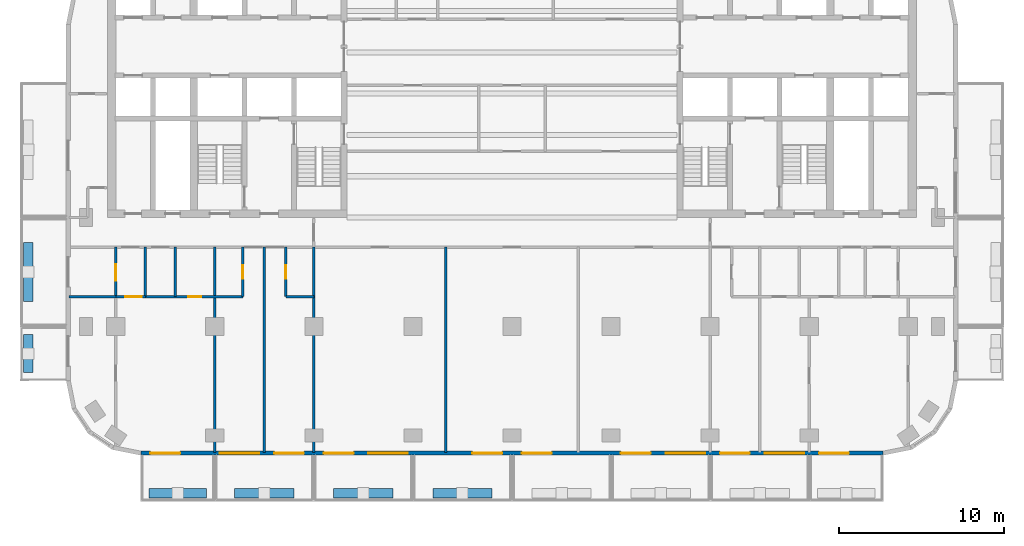
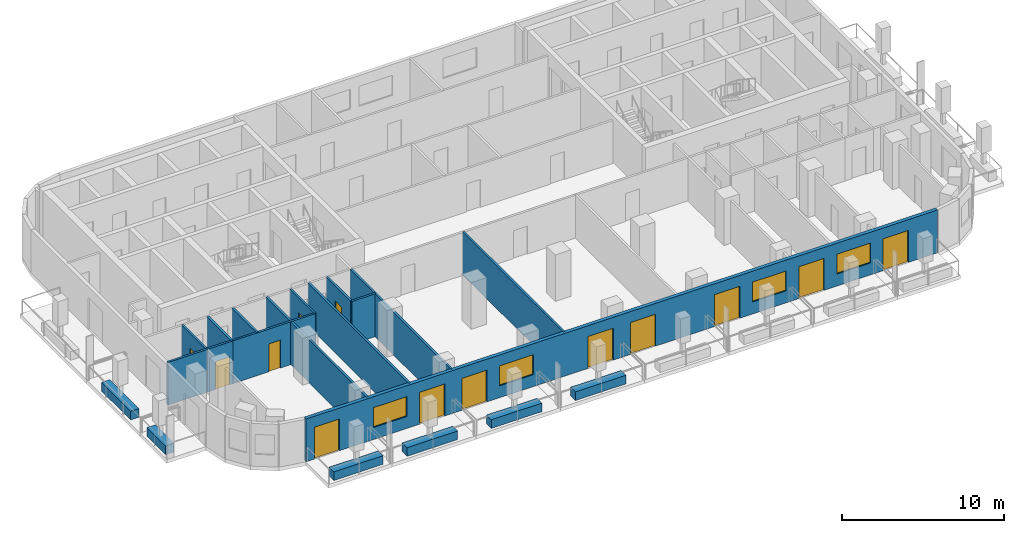
# One storey, part 2 of 11: 20 walls, 13 doors, 4 windows, 17 openings.
"""IFC4 building model written with IfcOpenShell, lengths in metres."""

import ifcopenshell
import ifcopenshell.guid

model = None  # the IFC model being written
_history = None  # IfcOwnerHistory: only IFC2X3 demands one
_inside = {}  # id of a spatial element -> (the spatial element, [elements in it])
_under = {}  # id of a project, library or spatial element -> (it, [spatial elements below it])
_declared = {}  # id of a project -> (the project, [libraries it declares])
_typed = {}  # id of a type object -> (the type object, [elements of that type])
_made_of = {}  # id of a material, layer set ... -> (it, [elements and type objects made of it])


def new_model(schema):
    """Start an empty IFC model of exactly this schema.

    Asked for "IFC4X3", IfcOpenShell would pick the latest addendum, in which some entities
    have other attributes; the version numbers below select the first issue.
    IFC2X3 requires an IfcOwnerHistory on every rooted entity: one is made here for all.
    """
    global model, _history
    if schema == "IFC4X3":
        model = ifcopenshell.file(schema_version=(4, 3, 0, 0))
    else:
        model = ifcopenshell.file(schema=schema)
    _inside.clear()
    _under.clear()
    _declared.clear()
    _typed.clear()
    _made_of.clear()
    _history = None
    if model.schema == "IFC2X3":
        org = make("IfcOrganization", Name="unknown")
        user = make(
            "IfcPersonAndOrganization",
            ThePerson=make("IfcPerson", FamilyName="unknown"),
            TheOrganization=org,
        )
        app = make(
            "IfcApplication",
            ApplicationDeveloper=org,
            Version="unknown",
            ApplicationFullName="unknown",
            ApplicationIdentifier="unknown",
        )
        _history = make(
            "IfcOwnerHistory",
            OwningUser=user,
            OwningApplication=app,
            ChangeAction="ADDED",
            CreationDate=0,
        )
    return model


def make(cls, **values):
    """One entity of the class cls with the attributes given. An attribute that is None is left unset."""
    return model.create_entity(
        cls, **{name: value for name, value in values.items() if value is not None}
    )


def rooted(cls, **values):
    """An entity with a GlobalId (a new one), such as an element, a storey or a relation."""
    return make(cls, GlobalId=ifcopenshell.guid.new(), OwnerHistory=_history, **values)


def si_unit(unit_type, name, prefix=None):
    """IfcSIUnit, for example si_unit("LENGTHUNIT", "METRE", prefix="MILLI")."""
    return make("IfcSIUnit", UnitType=unit_type, Prefix=prefix, Name=name)


def assignment(units):
    """IfcUnitAssignment: the units of a project."""
    return None if units is None else make("IfcUnitAssignment", Units=units)


def point(xyz):
    """IfcCartesianPoint."""
    return None if xyz is None else make("IfcCartesianPoint", Coordinates=xyz)


def direction(xyz):
    """IfcDirection."""
    return None if xyz is None else make("IfcDirection", DirectionRatios=xyz)


def frame(location, z_axis=None, x_axis=None):
    """IfcAxis2Placement3D, a coordinate frame: its origin and axes. An axis left out is left unset."""
    return make(
        "IfcAxis2Placement3D",
        Location=point(location),
        Axis=direction(z_axis),
        RefDirection=direction(x_axis),
    )


def frame_2d(location, x_axis=None):
    """IfcAxis2Placement2D, a coordinate frame in the plane: its origin and x axis."""
    return make(
        "IfcAxis2Placement2D", Location=point(location), RefDirection=direction(x_axis)
    )


def origin():
    """The frame at (0, 0, 0) with its axes left unset."""
    return frame((0.0, 0.0, 0.0))


def place(relative_to, where):
    """IfcLocalPlacement: puts the frame where relative to a parent placement (None: the world)."""
    return make(
        "IfcLocalPlacement", PlacementRelTo=relative_to, RelativePlacement=where
    )


def context(
    kind, dimensions, precision=None, world=None, true_north=None, identifier=None
):
    """IfcGeometricRepresentationContext, for example the 3D "Model" context."""
    return make(
        "IfcGeometricRepresentationContext",
        ContextIdentifier=identifier,
        ContextType=kind,
        CoordinateSpaceDimension=dimensions,
        Precision=precision,
        WorldCoordinateSystem=world,
        TrueNorth=true_north,
    )


def subcontext(parent, identifier, kind, view, scale=None):
    """IfcGeometricRepresentationSubContext, for example "Body" below "Model"."""
    return make(
        "IfcGeometricRepresentationSubContext",
        ContextIdentifier=identifier,
        ContextType=kind,
        ParentContext=parent,
        TargetScale=scale,
        TargetView=view,
    )


def project(units=None, contexts=None):
    """IfcProject with its units and contexts."""
    return rooted(
        "IfcProject",
        Name="project",
        RepresentationContexts=contexts,
        UnitsInContext=assignment(units),
    )


def spatial(cls, under=None, at=None, **own):
    """A site, building, storey or space (cls), placed at a placement, below another one or the project."""
    s = rooted(cls, ObjectPlacement=at, **own)
    if under is not None:
        _under.setdefault(under.id(), (under, []))[1].append(s)
    return s


def profile(cls, at=None, kind="AREA", **sizes):
    """A parametric profile (cls). Its sizes go by their IFC names, for example OverallWidth=200.0."""
    return make(cls, ProfileType=kind, Position=at, **sizes)


def rectangle(**sizes):
    """IfcRectangleProfileDef."""
    return profile("IfcRectangleProfileDef", **sizes)


def extrude(swept, where, along, depth):
    """IfcExtrudedAreaSolid: the profile swept, set in the frame where, extruded along a direction by depth."""
    return make(
        "IfcExtrudedAreaSolid",
        SweptArea=swept,
        Position=where,
        ExtrudedDirection=direction(along),
        Depth=depth,
    )


def shape(context_of_items, identifier, shape_type, items):
    """IfcShapeRepresentation: the items that make up one representation, for example the "Body"."""
    return make(
        "IfcShapeRepresentation",
        ContextOfItems=context_of_items,
        RepresentationIdentifier=identifier,
        RepresentationType=shape_type,
        Items=items,
    )


def material(Name=None, Category=None):
    """IfcMaterial."""
    return make("IfcMaterial", Name=Name, Category=Category)


def layer(
    of_material, thickness, ventilated=None, Name=None, Category=None, Priority=None
):
    """IfcMaterialLayer: one layer of a wall or slab, of a material (None: an air gap)."""
    return make(
        "IfcMaterialLayer",
        Material=of_material,
        LayerThickness=thickness,
        IsVentilated=ventilated,
        Name=Name,
        Category=Category,
        Priority=Priority,
    )


def layer_set(layers, Name=None):
    """IfcMaterialLayerSet."""
    return make("IfcMaterialLayerSet", MaterialLayers=layers, LayerSetName=Name)


def made_of(thing, what):
    """Note that an element or type object is made of a material, layer set ...; save() writes the relation."""
    if what is not None:
        _made_of.setdefault(what.id(), (what, []))[1].append(thing)
    return thing


def type_object(cls, material=None, **own):
    """A type object (cls), such as IfcWallType, which elements share."""
    return made_of(rooted(cls, **own), material)


def element(
    cls,
    number,
    at=None,
    inside=None,
    cuts=None,
    type_object=None,
    material=None,
    context=None,
    identifier="Body",
    shape_type=None,
    held_by="IfcProductDefinitionShape",
    body=None,
    shapes=None,
    **own,
):
    """One element of the class cls, such as IfcWall. Its Tag is "e" and its number.

    at: its placement. inside: the storey or other place that contains it. cuts: it is an
    opening in that element (IfcRelVoidsElement). A single representation is given by context,
    identifier, shape_type and body (its items); several are given by shapes. held_by: the class
    of the entity that holds the representations. save() writes the other relations.
    """
    e = rooted(cls, Tag="e%d" % number, ObjectPlacement=at, **own)
    if body is not None:
        shapes = [shape(context, identifier, shape_type, body)]
    if shapes is not None:
        e.Representation = make(held_by, Representations=shapes)
    if inside is not None:
        _inside.setdefault(inside.id(), (inside, []))[1].append(e)
    if cuts is not None:
        rooted(
            "IfcRelVoidsElement", RelatingBuildingElement=cuts, RelatedOpeningElement=e
        )
    if type_object is not None:
        _typed.setdefault(type_object.id(), (type_object, []))[1].append(e)
    return made_of(e, material)


def fill(opening, filler):
    """IfcRelFillsElement: the door or window that sits in an opening."""
    return rooted(
        "IfcRelFillsElement",
        RelatingOpeningElement=opening,
        RelatedBuildingElement=filler,
    )


def aggregate(whole, parts):
    """IfcRelAggregates: a whole, such as a stair, and the parts it consists of."""
    return rooted("IfcRelAggregates", RelatingObject=whole, RelatedObjects=parts)


def save(model, path):
    """Write the relations noted so far, then the file.

    IfcRelAggregates (storeys below a building ...), IfcRelContainedInSpatialStructure (elements
    in a storey), IfcRelDefinesByType, IfcRelAssociatesMaterial and IfcRelDeclares: one each for
    every whole, place, type object, material and project.
    """
    for whole, parts in _under.values():
        aggregate(whole, parts)
    for where, things in _inside.values():
        rooted(
            "IfcRelContainedInSpatialStructure",
            RelatedElements=things,
            RelatingStructure=where,
        )
    for kind, things in _typed.values():
        rooted("IfcRelDefinesByType", RelatedObjects=things, RelatingType=kind)
    for what, things in _made_of.values():
        rooted("IfcRelAssociatesMaterial", RelatedObjects=things, RelatingMaterial=what)
    for by, libraries in _declared.values():
        rooted("IfcRelDeclares", RelatingContext=by, RelatedDefinitions=libraries)
    model.write(path)


model = new_model("IFC4")

# Units and contexts
model_context = context("Model", 3, precision=1e-05, world=origin(), true_north=direction((0.0, 1.0)))
body_context = subcontext(model_context, "Body", "Model", "MODEL_VIEW")
ifc_project = project(units=[si_unit("LENGTHUNIT", "METRE"), si_unit("AREAUNIT", "SQUARE_METRE"), si_unit("VOLUMEUNIT", "CUBIC_METRE"), si_unit("PLANEANGLEUNIT", "RADIAN"), si_unit("MASSUNIT", "GRAM", prefix="KILO")], contexts=[model_context])

# Site, building, storey
site_placement = place(None, origin())
site = spatial("IfcSite", under=ifc_project, at=site_placement, CompositionType="ELEMENT")
building_placement = place(site_placement, origin())
building = spatial("IfcBuilding", under=site, at=building_placement, Name="Torana Hotel and Residences", CompositionType="ELEMENT")
storey_placement = place(building_placement, frame((0.0, 0.0, 190.60009765625)))
storey = spatial("IfcBuildingStorey", under=building, at=storey_placement, Name="L49", CompositionType="ELEMENT", Elevation=190.60009765625)

# Wall, openings, doors, windows
ifc_material_1 = material(Name="Black aluminium composite panel", Category="aluminium")
ifc_layer_1 = layer(ifc_material_1, 0.00390625, Name="Cladding", Category="cladding")
ifc_material_2 = material(Name="Ventilated air cavity")
ifc_layer_2 = layer(ifc_material_2, 0.0400390625, Name="Ventilated cavity", Category="cavity")
ifc_material_3 = material(Name="Mineral wool insulation")
ifc_layer_3 = layer(ifc_material_3, 0.090087890625, Name="Insulation", Category="insulation")
ifc_material_4 = material(Name="Steel S280GD", Category="steel")
ifc_layer_4 = layer(ifc_material_4, 0.092041015625, Name="Steel stud frame", Category="structure")
ifc_material_5 = material(Name="Fire rated plasterboard")
ifc_layer_5 = layer(ifc_material_5, 0.011962890625, Name="Inner board", Category="finish")
ifc_layer_6 = layer(ifc_material_5, 0.011962890625, Name="Second board", Category="finish")
ifc_layer_set_1 = layer_set([ifc_layer_1, ifc_layer_2, ifc_layer_3, ifc_layer_4, ifc_layer_5, ifc_layer_6], Name="EW1 EXTERNAL WALL BLACK METAL CLAD 250")
wall_type_1 = type_object("IfcWallType", Name="EW1 EXTERNAL WALL BLACK METAL CLAD 250", PredefinedType="SOLIDWALL", material=ifc_layer_set_1)
wall_1_placement = place(storey_placement, frame((-22.475341796875, -29.27490234375, 0.0), z_axis=(0.0, 0.0, 1.0), x_axis=(1.0, 0.0, 0.0)))
wall_1 = element("IfcWall", 1, at=wall_1_placement, inside=storey, type_object=wall_type_1, Name="External wall L49 e0.14", PredefinedType="SOLIDWALL", context=body_context, shape_type="SweptSolid", body=[
    extrude(rectangle(XDim=44.95068359375, YDim=0.25, at=frame_2d((22.475341796875, 0.0))), origin(), (0.0, 0.0, 1.0), 3.219970703125),
])
opening_1_placement = place(wall_1_placement, frame((0.575439453125, 0.0, 0.0)))
opening_1 = element("IfcOpeningElement", 2, at=opening_1_placement, cuts=wall_1, Name="Opening L49-E01", PredefinedType="OPENING", context=body_context, shape_type="SweptSolid", body=[
    extrude(rectangle(XDim=1.800048828125, YDim=2.39990234375, at=frame_2d((0.89990234375, 1.199951171875))), frame((0.0, 0.135009765625, 0.0), z_axis=(0.0, -1.0, 0.0), x_axis=(1.0, 0.0, 0.0)), (0.0, 0.0, 1.0), 0.27001953125),
])
opening_2_placement = place(wall_1_placement, frame((4.775390625, 0.0, 0.89990234375)))
opening_2 = element("IfcOpeningElement", 3, at=opening_2_placement, cuts=wall_1, Name="Opening W3", PredefinedType="OPENING", context=body_context, shape_type="SweptSolid", body=[
    extrude(rectangle(XDim=2.39990234375, YDim=1.5, at=frame_2d((1.199951171875, 0.75))), frame((0.0, 0.135009765625, 0.0), z_axis=(0.0, -1.0, 0.0), x_axis=(1.0, 0.0, 0.0)), (0.0, 0.0, 1.0), 0.27001953125),
])
opening_3_placement = place(wall_1_placement, frame((8.075439453125, 0.0, 0.0)))
opening_3 = element("IfcOpeningElement", 4, at=opening_3_placement, cuts=wall_1, Name="Opening L49-E02", PredefinedType="OPENING", context=body_context, shape_type="SweptSolid", body=[
    extrude(rectangle(XDim=1.800048828125, YDim=2.39990234375, at=frame_2d((0.89990234375, 1.199951171875))), frame((0.0, 0.135009765625, 0.0), z_axis=(0.0, -1.0, 0.0), x_axis=(1.0, 0.0, 0.0)), (0.0, 0.0, 1.0), 0.27001953125),
])
opening_4_placement = place(wall_1_placement, frame((11.075439453125, 0.0, 0.0)))
opening_4 = element("IfcOpeningElement", 5, at=opening_4_placement, cuts=wall_1, Name="Opening L49-E03", PredefinedType="OPENING", context=body_context, shape_type="SweptSolid", body=[
    extrude(rectangle(XDim=1.800048828125, YDim=2.39990234375, at=frame_2d((0.89990234375, 1.199951171875))), frame((0.0, 0.135009765625, 0.0), z_axis=(0.0, -1.0, 0.0), x_axis=(1.0, 0.0, 0.0)), (0.0, 0.0, 1.0), 0.27001953125),
])
opening_5_placement = place(wall_1_placement, frame((13.775390625, 0.0, 0.89990234375)))
opening_5 = element("IfcOpeningElement", 6, at=opening_5_placement, cuts=wall_1, Name="Opening W3", PredefinedType="OPENING", context=body_context, shape_type="SweptSolid", body=[
    extrude(rectangle(XDim=2.39990234375, YDim=1.5, at=frame_2d((1.199951171875, 0.75))), frame((0.0, 0.135009765625, 0.0), z_axis=(0.0, -1.0, 0.0), x_axis=(1.0, 0.0, 0.0)), (0.0, 0.0, 1.0), 0.27001953125),
])
opening_6_placement = place(wall_1_placement, frame((20.075439453125, 0.0, 0.0)))
opening_6 = element("IfcOpeningElement", 7, at=opening_6_placement, cuts=wall_1, Name="Opening L49-E04", PredefinedType="OPENING", context=body_context, shape_type="SweptSolid", body=[
    extrude(rectangle(XDim=1.800048828125, YDim=2.39990234375, at=frame_2d((0.89990234375, 1.199951171875))), frame((0.0, 0.135009765625, 0.0), z_axis=(0.0, -1.0, 0.0), x_axis=(1.0, 0.0, 0.0)), (0.0, 0.0, 1.0), 0.27001953125),
])
opening_7_placement = place(wall_1_placement, frame((23.075439453125, 0.0, 0.0)))
opening_7 = element("IfcOpeningElement", 8, at=opening_7_placement, cuts=wall_1, Name="Opening L49-E05", PredefinedType="OPENING", context=body_context, shape_type="SweptSolid", body=[
    extrude(rectangle(XDim=1.800048828125, YDim=2.39990234375, at=frame_2d((0.89990234375, 1.199951171875))), frame((0.0, 0.135009765625, 0.0), z_axis=(0.0, -1.0, 0.0), x_axis=(1.0, 0.0, 0.0)), (0.0, 0.0, 1.0), 0.27001953125),
])
opening_8_placement = place(wall_1_placement, frame((29.075439453125, 0.0, 0.0)))
opening_8 = element("IfcOpeningElement", 9, at=opening_8_placement, cuts=wall_1, Name="Opening L49-E06", PredefinedType="OPENING", context=body_context, shape_type="SweptSolid", body=[
    extrude(rectangle(XDim=1.800048828125, YDim=2.39990234375, at=frame_2d((0.89990234375, 1.199951171875))), frame((0.0, 0.135009765625, 0.0), z_axis=(0.0, -1.0, 0.0), x_axis=(1.0, 0.0, 0.0)), (0.0, 0.0, 1.0), 0.27001953125),
])
opening_9_placement = place(wall_1_placement, frame((31.775390625, 0.0, 0.89990234375)))
opening_9 = element("IfcOpeningElement", 10, at=opening_9_placement, cuts=wall_1, Name="Opening W3", PredefinedType="OPENING", context=body_context, shape_type="SweptSolid", body=[
    extrude(rectangle(XDim=2.39990234375, YDim=1.5, at=frame_2d((1.199951171875, 0.75))), frame((0.0, 0.135009765625, 0.0), z_axis=(0.0, -1.0, 0.0), x_axis=(1.0, 0.0, 0.0)), (0.0, 0.0, 1.0), 0.27001953125),
])
opening_10_placement = place(wall_1_placement, frame((35.075439453125, 0.0, 0.0)))
opening_10 = element("IfcOpeningElement", 11, at=opening_10_placement, cuts=wall_1, Name="Opening L49-E07", PredefinedType="OPENING", context=body_context, shape_type="SweptSolid", body=[
    extrude(rectangle(XDim=1.800048828125, YDim=2.39990234375, at=frame_2d((0.89990234375, 1.199951171875))), frame((0.0, 0.135009765625, 0.0), z_axis=(0.0, -1.0, 0.0), x_axis=(1.0, 0.0, 0.0)), (0.0, 0.0, 1.0), 0.27001953125),
])
opening_11_placement = place(wall_1_placement, frame((37.775390625, 0.0, 0.89990234375)))
opening_11 = element("IfcOpeningElement", 12, at=opening_11_placement, cuts=wall_1, Name="Opening W3", PredefinedType="OPENING", context=body_context, shape_type="SweptSolid", body=[
    extrude(rectangle(XDim=2.39990234375, YDim=1.5, at=frame_2d((1.199951171875, 0.75))), frame((0.0, 0.135009765625, 0.0), z_axis=(0.0, -1.0, 0.0), x_axis=(1.0, 0.0, 0.0)), (0.0, 0.0, 1.0), 0.27001953125),
])
opening_12_placement = place(wall_1_placement, frame((41.075439453125, 0.0, 0.0)))
opening_12 = element("IfcOpeningElement", 13, at=opening_12_placement, cuts=wall_1, Name="Opening L49-E08", PredefinedType="OPENING", context=body_context, shape_type="SweptSolid", body=[
    extrude(rectangle(XDim=1.800048828125, YDim=2.39990234375, at=frame_2d((0.89990234375, 1.199951171875))), frame((0.0, 0.135009765625, 0.0), z_axis=(0.0, -1.0, 0.0), x_axis=(1.0, 0.0, 0.0)), (0.0, 0.0, 1.0), 0.27001953125),
])
ifc_material_6 = material(Name="Dark glass in black aluminium frame", Category="aluminium")
door_type_1 = type_object("IfcDoorType", Name="DB1 BALCONY DOOR 1800x2400", OperationType="DOUBLE_DOOR_SINGLE_SWING", PredefinedType="DOOR", material=ifc_material_6)
door_1_placement = place(opening_1_placement, origin())
door_1 = element("IfcDoor", 14, at=door_1_placement, inside=storey, type_object=door_type_1, Name="Balcony door L49", OperationType="DOUBLE_DOOR_SINGLE_SWING", OverallHeight=2.39990234375, OverallWidth=1.800048828125, PredefinedType="DOOR", context=body_context, shape_type="SweptSolid", body=[
    extrude(rectangle(XDim=1.800048828125, YDim=2.39990234375, at=frame_2d((0.89990234375, 1.199951171875))), frame((0.0, 0.02490234375, 0.0), z_axis=(0.0, -1.0, 0.0), x_axis=(1.0, 0.0, 0.0)), (0.0, 0.0, 1.0), 0.050048828125),
])
fill(opening_1, door_1)
door_2_placement = place(opening_3_placement, origin())
door_2 = element("IfcDoor", 15, at=door_2_placement, inside=storey, type_object=door_type_1, Name="Balcony door L49", OperationType="DOUBLE_DOOR_SINGLE_SWING", OverallHeight=2.39990234375, OverallWidth=1.800048828125, PredefinedType="DOOR", context=body_context, shape_type="SweptSolid", body=[
    extrude(rectangle(XDim=1.800048828125, YDim=2.39990234375, at=frame_2d((0.89990234375, 1.199951171875))), frame((0.0, 0.02490234375, 0.0), z_axis=(0.0, -1.0, 0.0), x_axis=(1.0, 0.0, 0.0)), (0.0, 0.0, 1.0), 0.050048828125),
])
fill(opening_3, door_2)
door_3_placement = place(opening_4_placement, origin())
door_3 = element("IfcDoor", 16, at=door_3_placement, inside=storey, type_object=door_type_1, Name="Balcony door L49", OperationType="DOUBLE_DOOR_SINGLE_SWING", OverallHeight=2.39990234375, OverallWidth=1.800048828125, PredefinedType="DOOR", context=body_context, shape_type="SweptSolid", body=[
    extrude(rectangle(XDim=1.800048828125, YDim=2.39990234375, at=frame_2d((0.89990234375, 1.199951171875))), frame((0.0, 0.02490234375, 0.0), z_axis=(0.0, -1.0, 0.0), x_axis=(1.0, 0.0, 0.0)), (0.0, 0.0, 1.0), 0.050048828125),
])
fill(opening_4, door_3)
door_4_placement = place(opening_6_placement, origin())
door_4 = element("IfcDoor", 17, at=door_4_placement, inside=storey, type_object=door_type_1, Name="Balcony door L49", OperationType="DOUBLE_DOOR_SINGLE_SWING", OverallHeight=2.39990234375, OverallWidth=1.800048828125, PredefinedType="DOOR", context=body_context, shape_type="SweptSolid", body=[
    extrude(rectangle(XDim=1.800048828125, YDim=2.39990234375, at=frame_2d((0.89990234375, 1.199951171875))), frame((0.0, 0.02490234375, 0.0), z_axis=(0.0, -1.0, 0.0), x_axis=(1.0, 0.0, 0.0)), (0.0, 0.0, 1.0), 0.050048828125),
])
fill(opening_6, door_4)
door_5_placement = place(opening_7_placement, origin())
door_5 = element("IfcDoor", 18, at=door_5_placement, inside=storey, type_object=door_type_1, Name="Balcony door L49", OperationType="DOUBLE_DOOR_SINGLE_SWING", OverallHeight=2.39990234375, OverallWidth=1.800048828125, PredefinedType="DOOR", context=body_context, shape_type="SweptSolid", body=[
    extrude(rectangle(XDim=1.800048828125, YDim=2.39990234375, at=frame_2d((0.89990234375, 1.199951171875))), frame((0.0, 0.02490234375, 0.0), z_axis=(0.0, -1.0, 0.0), x_axis=(1.0, 0.0, 0.0)), (0.0, 0.0, 1.0), 0.050048828125),
])
fill(opening_7, door_5)
door_6_placement = place(opening_8_placement, origin())
door_6 = element("IfcDoor", 19, at=door_6_placement, inside=storey, type_object=door_type_1, Name="Balcony door L49", OperationType="DOUBLE_DOOR_SINGLE_SWING", OverallHeight=2.39990234375, OverallWidth=1.800048828125, PredefinedType="DOOR", context=body_context, shape_type="SweptSolid", body=[
    extrude(rectangle(XDim=1.800048828125, YDim=2.39990234375, at=frame_2d((0.89990234375, 1.199951171875))), frame((0.0, 0.02490234375, 0.0), z_axis=(0.0, -1.0, 0.0), x_axis=(1.0, 0.0, 0.0)), (0.0, 0.0, 1.0), 0.050048828125),
])
fill(opening_8, door_6)
door_7_placement = place(opening_10_placement, origin())
door_7 = element("IfcDoor", 20, at=door_7_placement, inside=storey, type_object=door_type_1, Name="Balcony door L49", OperationType="DOUBLE_DOOR_SINGLE_SWING", OverallHeight=2.39990234375, OverallWidth=1.800048828125, PredefinedType="DOOR", context=body_context, shape_type="SweptSolid", body=[
    extrude(rectangle(XDim=1.800048828125, YDim=2.39990234375, at=frame_2d((0.89990234375, 1.199951171875))), frame((0.0, 0.02490234375, 0.0), z_axis=(0.0, -1.0, 0.0), x_axis=(1.0, 0.0, 0.0)), (0.0, 0.0, 1.0), 0.050048828125),
])
fill(opening_10, door_7)
door_8_placement = place(opening_12_placement, origin())
door_8 = element("IfcDoor", 21, at=door_8_placement, inside=storey, type_object=door_type_1, Name="Balcony door L49", OperationType="DOUBLE_DOOR_SINGLE_SWING", OverallHeight=2.39990234375, OverallWidth=1.800048828125, PredefinedType="DOOR", context=body_context, shape_type="SweptSolid", body=[
    extrude(rectangle(XDim=1.800048828125, YDim=2.39990234375, at=frame_2d((0.89990234375, 1.199951171875))), frame((0.0, 0.02490234375, 0.0), z_axis=(0.0, -1.0, 0.0), x_axis=(1.0, 0.0, 0.0)), (0.0, 0.0, 1.0), 0.050048828125),
])
fill(opening_12, door_8)
ifc_material_7 = material(Name="Dark glass in black aluminium frame", Category="aluminium")
window_type = type_object("IfcWindowType", Name="W3 RESIDENCE WINDOW 2400x1500", PartitioningType="SINGLE_PANEL", PredefinedType="WINDOW", material=ifc_material_7)
window_1_placement = place(opening_2_placement, origin())
window_1 = element("IfcWindow", 22, at=window_1_placement, inside=storey, type_object=window_type, Name="Window L49", OverallHeight=1.5, OverallWidth=2.39990234375, PartitioningType="SINGLE_PANEL", PredefinedType="WINDOW", context=body_context, shape_type="SweptSolid", body=[
    extrude(rectangle(XDim=2.39990234375, YDim=1.5, at=frame_2d((1.199951171875, 0.75))), frame((0.0, 0.030029296875, 0.0), z_axis=(0.0, -1.0, 0.0), x_axis=(1.0, 0.0, 0.0)), (0.0, 0.0, 1.0), 0.06005859375),
])
fill(opening_2, window_1)
window_2_placement = place(opening_5_placement, origin())
window_2 = element("IfcWindow", 23, at=window_2_placement, inside=storey, type_object=window_type, Name="Window L49", OverallHeight=1.5, OverallWidth=2.39990234375, PartitioningType="SINGLE_PANEL", PredefinedType="WINDOW", context=body_context, shape_type="SweptSolid", body=[
    extrude(rectangle(XDim=2.39990234375, YDim=1.5, at=frame_2d((1.199951171875, 0.75))), frame((0.0, 0.030029296875, 0.0), z_axis=(0.0, -1.0, 0.0), x_axis=(1.0, 0.0, 0.0)), (0.0, 0.0, 1.0), 0.06005859375),
])
fill(opening_5, window_2)
window_3_placement = place(opening_9_placement, origin())
window_3 = element("IfcWindow", 24, at=window_3_placement, inside=storey, type_object=window_type, Name="Window L49", OverallHeight=1.5, OverallWidth=2.39990234375, PartitioningType="SINGLE_PANEL", PredefinedType="WINDOW", context=body_context, shape_type="SweptSolid", body=[
    extrude(rectangle(XDim=2.39990234375, YDim=1.5, at=frame_2d((1.199951171875, 0.75))), frame((0.0, 0.030029296875, 0.0), z_axis=(0.0, -1.0, 0.0), x_axis=(1.0, 0.0, 0.0)), (0.0, 0.0, 1.0), 0.06005859375),
])
fill(opening_9, window_3)
window_4_placement = place(opening_11_placement, origin())
window_4 = element("IfcWindow", 25, at=window_4_placement, inside=storey, type_object=window_type, Name="Window L49", OverallHeight=1.5, OverallWidth=2.39990234375, PartitioningType="SINGLE_PANEL", PredefinedType="WINDOW", context=body_context, shape_type="SweptSolid", body=[
    extrude(rectangle(XDim=2.39990234375, YDim=1.5, at=frame_2d((1.199951171875, 0.75))), frame((0.0, 0.030029296875, 0.0), z_axis=(0.0, -1.0, 0.0), x_axis=(1.0, 0.0, 0.0)), (0.0, 0.0, 1.0), 0.06005859375),
])
fill(opening_11, window_4)

# Wall
ifc_material_8 = material(Name="Gypsum plaster")
ifc_layer_7 = layer(ifc_material_8, 0.014892578125, Name="Plaster", Category="finish")
ifc_material_9 = material(Name="Concrete blockwork", Category="masonry")
ifc_layer_8 = layer(ifc_material_9, 0.1201171875, Name="Blockwork", Category="structure")
ifc_layer_9 = layer(ifc_material_8, 0.014892578125, Name="Plaster", Category="finish")
ifc_layer_set_2 = layer_set([ifc_layer_7, ifc_layer_8, ifc_layer_9], Name="FIRE PARTITION 150 BLOCKWORK")
wall_type_2 = type_object("IfcWallType", Name="FIRE PARTITION 150 BLOCKWORK", PredefinedType="PARTITIONING", material=ifc_layer_set_2)
wall_2_placement = place(storey_placement, frame((-22.199951171875, -19.800048828125, 0.0), z_axis=(0.0, 0.0, 1.0), x_axis=(0.0, 1.0, 0.0)))
element("IfcWall", 26, at=wall_2_placement, inside=storey, type_object=wall_type_2, Name="Partition L49", PredefinedType="PARTITIONING", context=body_context, shape_type="SweptSolid", body=[
    extrude(rectangle(XDim=3.0, YDim=0.14990234375, at=frame_2d((1.5, 0.0))), origin(), (0.0, 0.0, 1.0), 3.219970703125),
])

# Wall, opening, door
wall_3_placement = place(storey_placement, frame((-24.0, -19.800048828125, 0.0), z_axis=(0.0, 0.0, 1.0), x_axis=(0.0, 1.0, 0.0)))
wall_3 = element("IfcWall", 27, at=wall_3_placement, inside=storey, type_object=wall_type_2, Name="Partition L49", PredefinedType="PARTITIONING", context=body_context, shape_type="SweptSolid", body=[
    extrude(rectangle(XDim=3.0, YDim=0.14990234375, at=frame_2d((1.5, 0.0))), origin(), (0.0, 0.0, 1.0), 3.219970703125),
])
opening_13_placement = place(wall_3_placement, frame((0.97998046875, 0.0, 0.0)))
opening_13 = element("IfcOpeningElement", 28, at=opening_13_placement, cuts=wall_3, Name="Opening L49-53", PredefinedType="OPENING", context=body_context, shape_type="SweptSolid", body=[
    extrude(rectangle(XDim=1.0, YDim=2.10009765625, at=frame_2d((0.5, 1.050048828125))), frame((0.0, 0.0849609375, 0.0), z_axis=(0.0, -1.0, 0.0), x_axis=(1.0, 0.0, 0.0)), (0.0, 0.0, 1.0), 0.169921875),
])
ifc_material_10 = material(Name="Steel S235", Category="steel")
door_type_2 = type_object("IfcDoorType", Name="ENTRY FIRE DOOR D6 1000x2100", OperationType="SINGLE_SWING_LEFT", PredefinedType="DOOR", material=ifc_material_10)
door_9_placement = place(opening_13_placement, origin())
door_9 = element("IfcDoor", 29, at=door_9_placement, inside=storey, type_object=door_type_2, Name="Door L49", OperationType="SINGLE_SWING_RIGHT", OverallHeight=2.10009765625, OverallWidth=1.0, PredefinedType="DOOR", context=body_context, shape_type="SweptSolid", body=[
    extrude(rectangle(XDim=1.0, YDim=2.10009765625, at=frame_2d((0.5, 1.050048828125))), frame((0.0, 0.02490234375, 0.0), z_axis=(0.0, -1.0, 0.0), x_axis=(1.0, 0.0, 0.0)), (0.0, 0.0, 1.0), 0.050048828125),
])
fill(opening_13, door_9)

wall_4_placement = place(storey_placement, frame((-24.0, -19.800048828125, 0.0), z_axis=(0.0, 0.0, 1.0), x_axis=(1.0, 0.0, 0.0)))
wall_4 = element("IfcWall", 30, at=wall_4_placement, inside=storey, type_object=wall_type_2, Name="Partition L49", PredefinedType="PARTITIONING", context=body_context, shape_type="SweptSolid", body=[
    extrude(rectangle(XDim=1.800048828125, YDim=0.14990234375, at=frame_2d((0.89990234375, 0.0))), origin(), (0.0, 0.0, 1.0), 3.219970703125),
])
opening_14_placement = place(wall_4_placement, frame((0.580078125, 0.0, 0.0)))
opening_14 = element("IfcOpeningElement", 31, at=opening_14_placement, cuts=wall_4, Name="Opening L49-54", PredefinedType="OPENING", context=body_context, shape_type="SweptSolid", body=[
    extrude(rectangle(XDim=1.0, YDim=2.10009765625, at=frame_2d((0.5, 1.050048828125))), frame((0.0, 0.0849609375, 0.0), z_axis=(0.0, -1.0, 0.0), x_axis=(1.0, 0.0, 0.0)), (0.0, 0.0, 1.0), 0.169921875),
])
door_10_placement = place(opening_14_placement, frame((0.5, 0.0, 0.0), z_axis=(0.0, 0.0, 1.0), x_axis=(-1.0, 0.0, 0.0)))
door_10 = element("IfcDoor", 32, at=door_10_placement, inside=storey, type_object=door_type_2, Name="Door L49", OperationType="SINGLE_SWING_LEFT", OverallHeight=2.10009765625, OverallWidth=1.0, PredefinedType="DOOR", context=body_context, shape_type="SweptSolid", body=[
    extrude(rectangle(XDim=1.0, YDim=2.10009765625, at=frame_2d((0.0, 1.050048828125))), frame((0.0, -0.02490234375, 0.0), z_axis=(0.0, 1.0, 0.0), x_axis=(-1.0, 0.0, 0.0)), (0.0, 0.0, 1.0), 0.050048828125),
])
fill(opening_14, door_10)

# Walls
ifc_material_11 = material(Name="Gypsum plasterboard")
ifc_layer_10 = layer(ifc_material_11, 0.012451171875, Name="Plasterboard", Category="finish")
ifc_layer_11 = layer(ifc_material_11, 0.012451171875, Name="Plasterboard", Category="finish")
ifc_layer_12 = layer(ifc_material_4, 0.10009765625, Name="Steel studs with mineral wool", Category="insulation")
ifc_layer_13 = layer(ifc_material_11, 0.012451171875, Name="Plasterboard", Category="finish")
ifc_layer_14 = layer(ifc_material_11, 0.012451171875, Name="Plasterboard", Category="finish")
ifc_layer_set_3 = layer_set([ifc_layer_10, ifc_layer_11, ifc_layer_12, ifc_layer_13, ifc_layer_14], Name="PARTITION 150 PLASTERBOARD")
wall_type_3 = type_object("IfcWallType", Name="PARTITION 150 PLASTERBOARD", PredefinedType="PARTITIONING", material=ifc_layer_set_3)
for number, where, z_axis, x_axis, name in (
    (33, (-4.0, -29.219970703125, 0.0), (0.0, 0.0, 1.0), (0.0, 1.0, 0.0), "Partition L49"),
    (34, (-12.0, -29.219970703125, 0.0), (0.0, 0.0, 1.0), (0.0, 1.0, 0.0), "Partition L49"),
):
    element("IfcWall", number, at=place(storey_placement, frame(where, z_axis=z_axis, x_axis=x_axis)), inside=storey, type_object=wall_type_3, Name=name, PredefinedType="PARTITIONING", context=body_context, shape_type="SweptSolid", body=[
        extrude(rectangle(XDim=12.419921875, YDim=0.14990234375, at=frame_2d((6.2099609375, 0.0))), origin(), (0.0, 0.0, 1.0), 3.219970703125),
    ])

# Wall, opening, door
wall_5_placement = place(storey_placement, frame((-13.699951171875, -19.800048828125, 0.0), z_axis=(0.0, 0.0, 1.0), x_axis=(0.0, 1.0, 0.0)))
wall_5 = element("IfcWall", 35, at=wall_5_placement, inside=storey, type_object=wall_type_3, Name="Partition L49", PredefinedType="PARTITIONING", context=body_context, shape_type="SweptSolid", body=[
    extrude(rectangle(XDim=3.0, YDim=0.14990234375, at=frame_2d((1.5, 0.0))), origin(), (0.0, 0.0, 1.0), 3.219970703125),
])
opening_15_placement = place(wall_5_placement, frame((1.10009765625, 0.0, 0.0)))
opening_15 = element("IfcOpeningElement", 36, at=opening_15_placement, cuts=wall_5, Name="Opening L49-49", PredefinedType="OPENING", context=body_context, shape_type="SweptSolid", body=[
    extrude(rectangle(XDim=0.800048828125, YDim=2.10009765625, at=frame_2d((0.39990234375, 1.050048828125))), frame((0.0, 0.0849609375, 0.0), z_axis=(0.0, -1.0, 0.0), x_axis=(1.0, 0.0, 0.0)), (0.0, 0.0, 1.0), 0.169921875),
])
ifc_material_12 = material(Name="Timber door, painted", Category="wood")
door_type_3 = type_object("IfcDoorType", Name="BATH DOOR D13 800x2100", OperationType="SINGLE_SWING_LEFT", PredefinedType="DOOR", material=ifc_material_12)
door_11_placement = place(opening_15_placement, origin())
door_11 = element("IfcDoor", 37, at=door_11_placement, inside=storey, type_object=door_type_3, Name="Door L49", OperationType="SINGLE_SWING_LEFT", OverallHeight=2.10009765625, OverallWidth=0.800048828125, PredefinedType="DOOR", context=body_context, shape_type="SweptSolid", body=[
    extrude(rectangle(XDim=0.800048828125, YDim=2.10009765625, at=frame_2d((0.39990234375, 1.050048828125))), frame((0.0, 0.02490234375, 0.0), z_axis=(0.0, -1.0, 0.0), x_axis=(1.0, 0.0, 0.0)), (0.0, 0.0, 1.0), 0.050048828125),
])
fill(opening_15, door_11)

# Wall
wall_6_placement = place(storey_placement, frame((-15.0, -29.219970703125, 0.0), z_axis=(0.0, 0.0, 1.0), x_axis=(0.0, 1.0, 0.0)))
element("IfcWall", 38, at=wall_6_placement, inside=storey, type_object=wall_type_3, Name="Partition L49", PredefinedType="PARTITIONING", context=body_context, shape_type="SweptSolid", body=[
    extrude(rectangle(XDim=12.419921875, YDim=0.14990234375, at=frame_2d((6.2099609375, 0.0))), origin(), (0.0, 0.0, 1.0), 3.219970703125),
])

# Wall, opening, door
wall_7_placement = place(storey_placement, frame((-16.300048828125, -19.800048828125, 0.0), z_axis=(0.0, 0.0, 1.0), x_axis=(0.0, 1.0, 0.0)))
wall_7 = element("IfcWall", 39, at=wall_7_placement, inside=storey, type_object=wall_type_3, Name="Partition L49", PredefinedType="PARTITIONING", context=body_context, shape_type="SweptSolid", body=[
    extrude(rectangle(XDim=3.0, YDim=0.14990234375, at=frame_2d((1.5, 0.0))), origin(), (0.0, 0.0, 1.0), 3.219970703125),
])
opening_16_placement = place(wall_7_placement, frame((1.10009765625, 0.0, 0.0)))
opening_16 = element("IfcOpeningElement", 40, at=opening_16_placement, cuts=wall_7, Name="Opening L49-50", PredefinedType="OPENING", context=body_context, shape_type="SweptSolid", body=[
    extrude(rectangle(XDim=0.800048828125, YDim=2.10009765625, at=frame_2d((0.39990234375, 1.050048828125))), frame((0.0, 0.0849609375, 0.0), z_axis=(0.0, -1.0, 0.0), x_axis=(1.0, 0.0, 0.0)), (0.0, 0.0, 1.0), 0.169921875),
])
door_12_placement = place(opening_16_placement, origin())
door_12 = element("IfcDoor", 41, at=door_12_placement, inside=storey, type_object=door_type_3, Name="Door L49", OperationType="SINGLE_SWING_RIGHT", OverallHeight=2.10009765625, OverallWidth=0.800048828125, PredefinedType="DOOR", context=body_context, shape_type="SweptSolid", body=[
    extrude(rectangle(XDim=0.800048828125, YDim=2.10009765625, at=frame_2d((0.39990234375, 1.050048828125))), frame((0.0, 0.02490234375, 0.0), z_axis=(0.0, -1.0, 0.0), x_axis=(1.0, 0.0, 0.0)), (0.0, 0.0, 1.0), 0.050048828125),
])
fill(opening_16, door_12)

# Walls
wall_8_placement = place(storey_placement, frame((-18.0, -29.219970703125, 0.0), z_axis=(0.0, 0.0, 1.0), x_axis=(0.0, 1.0, 0.0)))
element("IfcWall", 42, at=wall_8_placement, inside=storey, type_object=wall_type_3, Name="Partition L49", PredefinedType="PARTITIONING", context=body_context, shape_type="SweptSolid", body=[
    extrude(rectangle(XDim=12.419921875, YDim=0.14990234375, at=frame_2d((6.2099609375, 0.0))), origin(), (0.0, 0.0, 1.0), 3.219970703125),
])
wall_9_placement = place(storey_placement, frame((-20.39990234375, -19.800048828125, 0.0), z_axis=(0.0, 0.0, 1.0), x_axis=(0.0, 1.0, 0.0)))
element("IfcWall", 43, at=wall_9_placement, inside=storey, type_object=wall_type_3, Name="Partition L49", PredefinedType="PARTITIONING", context=body_context, shape_type="SweptSolid", body=[
    extrude(rectangle(XDim=3.0, YDim=0.14990234375, at=frame_2d((1.5, 0.0))), origin(), (0.0, 0.0, 1.0), 3.219970703125),
])
wall_10_placement = place(storey_placement, frame((-26.820068359375, -19.800048828125, 0.0), z_axis=(0.0, 0.0, 1.0), x_axis=(1.0, 0.0, 0.0)))
element("IfcWall", 44, at=wall_10_placement, inside=storey, type_object=wall_type_3, Name="Partition L49", PredefinedType="PARTITIONING", context=body_context, shape_type="SweptSolid", body=[
    extrude(rectangle(XDim=2.820068359375, YDim=0.14990234375, at=frame_2d((1.41015625, 0.0))), origin(), (0.0, 0.0, 1.0), 3.219970703125),
])

# Wall, opening, door
wall_11_placement = place(storey_placement, frame((-22.199951171875, -19.800048828125, 0.0), z_axis=(0.0, 0.0, 1.0), x_axis=(1.0, 0.0, 0.0)))
wall_11 = element("IfcWall", 45, at=wall_11_placement, inside=storey, type_object=wall_type_3, Name="Partition L49", PredefinedType="PARTITIONING", context=body_context, shape_type="SweptSolid", body=[
    extrude(rectangle(XDim=5.89990234375, YDim=0.14990234375, at=frame_2d((2.949951171875, 0.0))), origin(), (0.0, 0.0, 1.0), 3.219970703125),
])
opening_17_placement = place(wall_11_placement, frame((2.580078125, 0.0, 0.0)))
opening_17 = element("IfcOpeningElement", 46, at=opening_17_placement, cuts=wall_11, Name="Opening L49-52", PredefinedType="OPENING", context=body_context, shape_type="SweptSolid", body=[
    extrude(rectangle(XDim=0.800048828125, YDim=2.10009765625, at=frame_2d((0.39990234375, 1.050048828125))), frame((0.0, 0.0849609375, 0.0), z_axis=(0.0, -1.0, 0.0), x_axis=(1.0, 0.0, 0.0)), (0.0, 0.0, 1.0), 0.169921875),
])
door_13_placement = place(opening_17_placement, origin())
door_13 = element("IfcDoor", 47, at=door_13_placement, inside=storey, type_object=door_type_3, Name="Door L49", OperationType="SINGLE_SWING_RIGHT", OverallHeight=2.10009765625, OverallWidth=0.800048828125, PredefinedType="DOOR", context=body_context, shape_type="SweptSolid", body=[
    extrude(rectangle(XDim=0.800048828125, YDim=2.10009765625, at=frame_2d((0.39990234375, 1.050048828125))), frame((0.0, 0.02490234375, 0.0), z_axis=(0.0, -1.0, 0.0), x_axis=(1.0, 0.0, 0.0)), (0.0, 0.0, 1.0), 0.050048828125),
])
fill(opening_17, door_13)

# Walls
wall_12_placement = place(storey_placement, frame((-13.699951171875, -19.800048828125, 0.0), z_axis=(0.0, 0.0, 1.0), x_axis=(1.0, 0.0, 0.0)))
element("IfcWall", 48, at=wall_12_placement, inside=storey, type_object=wall_type_3, Name="Partition L49", PredefinedType="PARTITIONING", context=body_context, shape_type="SweptSolid", body=[
    extrude(rectangle(XDim=1.699951171875, YDim=0.14990234375, at=frame_2d((0.85009765625, 0.0))), origin(), (0.0, 0.0, 1.0), 3.219970703125),
])
ifc_material_13 = material(Name="Concrete C40/50 precast", Category="concrete")
ifc_layer_15 = layer(ifc_material_13, 0.10009765625, Name="Planter shell", Category="structure")
ifc_material_14 = material(Name="Root resistant membrane")
ifc_layer_16 = layer(ifc_material_14, 0.00390625, Name="Waterproofing membrane", Category="membrane")
ifc_material_15 = material(Name="Drainage board with filter fleece")
ifc_layer_17 = layer(ifc_material_15, 0.02001953125, Name="Drainage board", Category="drainage")
ifc_material_16 = material(Name="Growing medium")
ifc_layer_18 = layer(ifc_material_16, 0.47607421875, Name="Planting substrate", Category="soil")
ifc_layer_set_4 = layer_set([ifc_layer_15, ifc_layer_16, ifc_layer_17, ifc_layer_18], Name="PL1 BALCONY PLANTER 600")
wall_type_4 = type_object("IfcWallType", Name="PL1 BALCONY PLANTER 600", PredefinedType="USERDEFINED", material=ifc_layer_set_4)
wall_13_placement = place(storey_placement, frame((-18.5, -31.699951171875, 0.0), z_axis=(0.0, 0.0, 1.0), x_axis=(-1.0, 0.0, 0.0)))
element("IfcWall", 49, at=wall_13_placement, inside=storey, type_object=wall_type_4, Name="Planter 01", ObjectType="PLANTER", PredefinedType="USERDEFINED", context=body_context, shape_type="SweptSolid", body=[
    extrude(rectangle(XDim=3.5, YDim=0.60009765625, at=frame_2d((1.75, 0.0))), origin(), (0.0, 0.0, 1.0), 0.64990234375),
])
for number, where, z_axis, x_axis, name in (
    (50, (-13.199951171875, -31.699951171875, 0.0), (0.0, 0.0, 1.0), (-1.0, 0.0, 0.0), "Planter 02"),
    (51, (-7.199951171875, -31.699951171875, 0.0), (0.0, 0.0, 1.0), (-1.0, 0.0, 0.0), "Planter 03"),
    (52, (-1.199951171875, -31.699951171875, 0.0), (0.0, 0.0, 1.0), (-1.0, 0.0, 0.0), "Planter 04"),
):
    element("IfcWall", number, at=place(storey_placement, frame(where, z_axis=z_axis, x_axis=x_axis)), inside=storey, type_object=wall_type_4, Name=name, ObjectType="PLANTER", PredefinedType="USERDEFINED", context=body_context, shape_type="SweptSolid", body=[
        extrude(rectangle(XDim=3.60009765625, YDim=0.60009765625, at=frame_2d((1.800048828125, 0.0))), origin(), (0.0, 0.0, 1.0), 0.64990234375),
    ])
wall_14_placement = place(storey_placement, frame((-29.300048828125, -24.39990234375, 0.0), z_axis=(0.0, 0.0, 1.0), x_axis=(0.0, 1.0, 0.0)))
element("IfcWall", 53, at=wall_14_placement, inside=storey, type_object=wall_type_4, Name="Planter 09", ObjectType="PLANTER", PredefinedType="USERDEFINED", context=body_context, shape_type="SweptSolid", body=[
    extrude(rectangle(XDim=2.2998046875, YDim=0.60009765625, at=frame_2d((1.14990234375, 0.0))), origin(), (0.0, 0.0, 1.0), 0.64990234375),
])
wall_15_placement = place(storey_placement, frame((-29.300048828125, -20.10009765625, 0.0), z_axis=(0.0, 0.0, 1.0), x_axis=(0.0, 1.0, 0.0)))
element("IfcWall", 54, at=wall_15_placement, inside=storey, type_object=wall_type_4, Name="Planter 10", ObjectType="PLANTER", PredefinedType="USERDEFINED", context=body_context, shape_type="SweptSolid", body=[
    extrude(rectangle(XDim=3.60009765625, YDim=0.60009765625, at=frame_2d((1.800048828125, 0.0))), origin(), (0.0, 0.0, 1.0), 0.64990234375),
])

save(model, "model.ifc")
